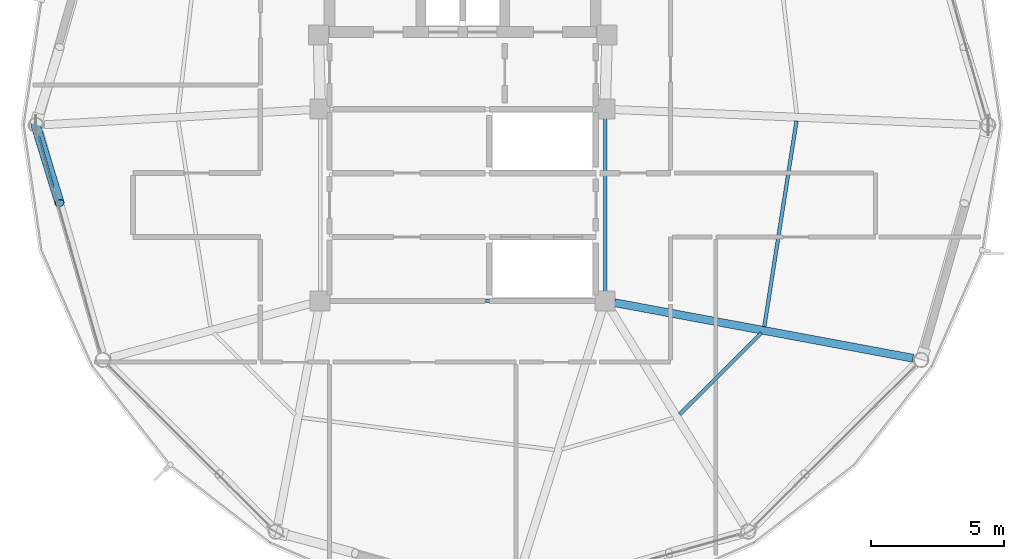
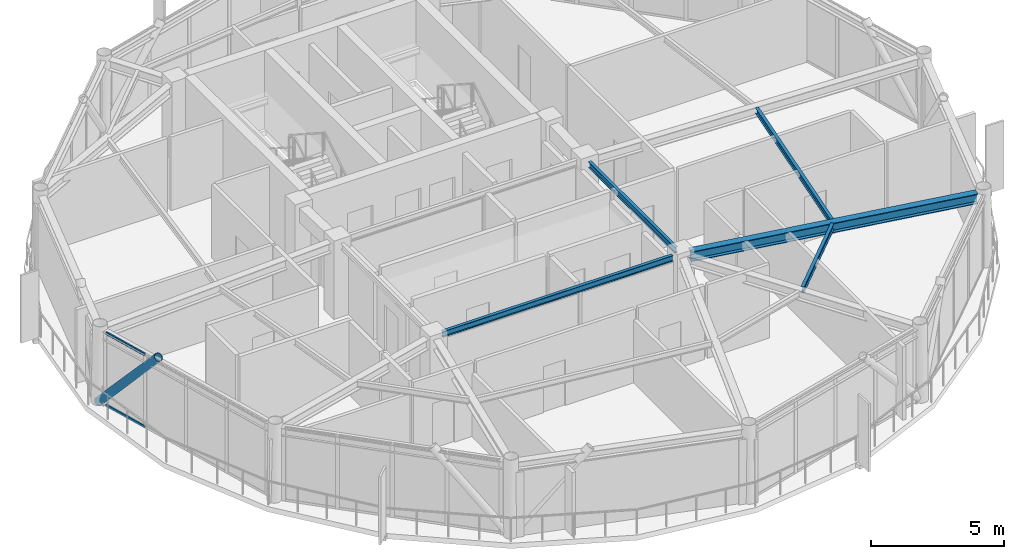
# One storey, part 9 of 24: 5 beams, 3 members, 1 element without a shape of its own.
"""IFC4 building model written with IfcOpenShell, lengths in metres."""

from ifc_helpers import new_model, si_unit, direction, frame, origin, origin_2d, place, context, subcontext, project, spatial, hollow_rectangle, hollow_circle, i_section, extrude, material, layer, layer_set, material_profile, profile_set, type_object, element, aggregate, save


model = new_model("IFC4")

# Units and contexts
model_context = context("Model", 3, precision=1e-05, world=origin(), true_north=direction((0.0, 1.0)))
body_context = subcontext(model_context, "Body", "Model", "MODEL_VIEW")
ifc_project = project(units=[si_unit("LENGTHUNIT", "METRE"), si_unit("AREAUNIT", "SQUARE_METRE"), si_unit("VOLUMEUNIT", "CUBIC_METRE"), si_unit("PLANEANGLEUNIT", "RADIAN"), si_unit("MASSUNIT", "GRAM", prefix="KILO")], contexts=[model_context])

# Site, building, storey
site_placement = place(None, origin())
site = spatial("IfcSite", under=ifc_project, at=site_placement, CompositionType="ELEMENT")
building_placement = place(site_placement, origin())
building = spatial("IfcBuilding", under=site, at=building_placement, Name="Varnakorn Sky Granary", CompositionType="ELEMENT")
storey_placement = place(building_placement, frame((0.0, 0.0, 281.39990234375)))
storey = spatial("IfcBuildingStorey", under=building, at=storey_placement, Name="L72", CompositionType="ELEMENT", Elevation=281.39990234375)

# Beams
ifc_material_1 = material(Name="Steel S355JR", Category="steel")
ifc_material_profile_1 = material_profile(ifc_material_1, i_section(OverallWidth=0.300048828125, OverallDepth=0.449951171875, WebThickness=0.013916015625, FlangeThickness=0.02587890625, at=origin_2d()), Name="HE 450 B")
ifc_profile_set_1 = profile_set([ifc_material_profile_1], Name="Steel S355JR")
beam_type_1 = type_object("IfcBeamType", Name="BM-RAD-Z5", PredefinedType="BEAM", material=ifc_profile_set_1)
beam_1_placement = place(storey_placement, frame((8.698974609375, -6.6650390625, 3.135009765625), z_axis=(0.983105406142, -0.183040324556, 0.0), x_axis=(0.183040324556, 0.983105406142, 0.0)))
element("IfcBeam", 1, at=beam_1_placement, inside=storey, type_object=beam_type_1, Name="Radial Floor Girder RG12 L72", PredefinedType="BEAM", context=body_context, shape_type="SweptSolid", body=[
    extrude(i_section(OverallWidth=0.300048828125, OverallDepth=0.449951171875, WebThickness=0.013916015625, FlangeThickness=0.02587890625, at=origin_2d()), origin(), (0.0, 0.0, 1.0), 11.3974609375),
])
ifc_material_profile_2 = material_profile(ifc_material_1, i_section(OverallWidth=0.135009765625, OverallDepth=0.27001953125, WebThickness=0.006591796875, FlangeThickness=0.01025390625, at=origin_2d()), Name="IPE 270")
ifc_profile_set_2 = profile_set([ifc_material_profile_2], Name="Steel S355JR")
beam_type_2 = type_object("IfcBeamType", Name="BM-SEC-Z5", PredefinedType="BEAM", material=ifc_profile_set_2)
beam_2_placement = place(storey_placement, frame((11.1435546875, -10.860107421875, 3.22509765625), z_axis=(0.70775611126, 0.706456854291, 0.0), x_axis=(-0.706456854291, 0.70775611126, 0.0)))
element("IfcBeam", 2, at=beam_2_placement, inside=storey, type_object=beam_type_2, Name="Secondary Floor Chord Beam MSB11 L72", PredefinedType="BEAM", context=body_context, shape_type="SweptSolid", body=[
    extrude(i_section(OverallWidth=0.135009765625, OverallDepth=0.27001953125, WebThickness=0.006591796875, FlangeThickness=0.01025390625, at=origin_2d()), origin(), (0.0, 0.0, 1.0), 4.32177734375),
])
beam_3_placement = place(storey_placement, frame((14.322998046875, -7.569580078125, 3.22509765625), z_axis=(0.154624379388, 0.987973330257, 0.0), x_axis=(-0.987973330257, 0.154624379388, 0.0)))
element("IfcBeam", 3, at=beam_3_placement, inside=storey, type_object=beam_type_2, Name="Secondary Floor Chord Beam MSB12 L72", PredefinedType="BEAM", context=body_context, shape_type="SweptSolid", body=[
    extrude(i_section(OverallWidth=0.135009765625, OverallDepth=0.27001953125, WebThickness=0.006591796875, FlangeThickness=0.01025390625, at=origin_2d()), origin(), (0.0, 0.0, 1.0), 7.823486328125),
])
beam_4_placement = place(storey_placement, frame((8.35009765625, 0.2451171875, 3.22509765625), z_axis=(0.0, -1.0, 0.0), x_axis=(1.0, 0.0, 0.0)))
element("IfcBeam", 4, at=beam_4_placement, inside=storey, type_object=beam_type_2, Name="Core Spine Framing Beam 4 L72", PredefinedType="BEAM", context=body_context, shape_type="SweptSolid", body=[
    extrude(i_section(OverallWidth=0.135009765625, OverallDepth=0.27001953125, WebThickness=0.006591796875, FlangeThickness=0.01025390625, at=origin_2d()), origin(), (0.0, 0.0, 1.0), 6.490234375),
])
beam_5_placement = place(storey_placement, frame((-1.9951171875, -6.60009765625, 3.22509765625), z_axis=(1.0, 0.0, 0.0), x_axis=(0.0, 1.0, 0.0)))
element("IfcBeam", 5, at=beam_5_placement, inside=storey, type_object=beam_type_2, Name="Core Spine Framing Beam 6 L72", PredefinedType="BEAM", context=body_context, shape_type="SweptSolid", body=[
    extrude(i_section(OverallWidth=0.135009765625, OverallDepth=0.27001953125, WebThickness=0.006591796875, FlangeThickness=0.01025390625, at=origin_2d()), origin(), (0.0, 0.0, 1.0), 9.990234375),
])

# Curtain wall, members
ifc_material_2 = material(Name="Anodised Bronze Aluminium Alloy 6063-T6", Category="aluminium")
ifc_layer = layer(ifc_material_2, 0.159912109375, Name="Anodised Bronze Aluminium Alloy 6063-T6")
ifc_layer_set = layer_set([ifc_layer], Name="Anodised Bronze Aluminium Alloy 6063-T6")
curtain_wall_type = type_object("IfcCurtainWallType", Name="CW-OFF-1", PredefinedType="USERDEFINED", material=ifc_layer_set)
curtain_wall_placement = place(storey_placement, origin())
curtain_wall = element("IfcCurtainWall", 6, at=curtain_wall_placement, inside=storey, type_object=curtain_wall_type, Name="Unitised Curtain Wall CW6 CW-L72-B07", ObjectType="CURTAIN WALL", PredefinedType="USERDEFINED")
ifc_material_profile_3 = material_profile(ifc_material_2, hollow_rectangle(XDim=0.06494140625, YDim=0.1201171875, WallThickness=0.00341796875, at=origin_2d()), Name="ALU TRAN 65x120")
ifc_profile_set_3 = profile_set([ifc_material_profile_3], Name="Anodised Bronze Aluminium Alloy 6063-T6")
member_type_1 = type_object("IfcMemberType", Name="CW-OFF-1-TRAN", PredefinedType="USERDEFINED", material=ifc_profile_set_3)
member_1_placement = place(storey_placement, frame((-12.369140625, -2.336181640625, 0.03271484375), z_axis=(-0.27406813679, 0.961710276745, 0.0), x_axis=(-0.961710276745, -0.27406813679, 0.0)))
member_1 = element("IfcMember", 7, at=member_1_placement, type_object=member_type_1, Name="CW6 transom 4.1", ObjectType="TRANSOM", PredefinedType="USERDEFINED", context=body_context, shape_type="SweptSolid", body=[
    extrude(hollow_rectangle(XDim=0.06494140625, YDim=0.1201171875, WallThickness=0.00341796875, at=origin_2d()), origin(), (0.0, 0.0, 1.0), 2.02490234375),
])
member_2_placement = place(storey_placement, frame((-12.369140625, -2.336181640625, 3.32763671875), z_axis=(-0.27406813679, 0.961710276745, 0.0), x_axis=(-0.961710276745, -0.27406813679, 0.0)))
member_2 = element("IfcMember", 8, at=member_2_placement, type_object=member_type_1, Name="CW6 transom 4.2", ObjectType="TRANSOM", PredefinedType="USERDEFINED", context=body_context, shape_type="SweptSolid", body=[
    extrude(hollow_rectangle(XDim=0.06494140625, YDim=0.1201171875, WallThickness=0.00341796875, at=origin_2d()), origin(), (0.0, 0.0, 1.0), 2.02490234375),
])
aggregate(curtain_wall, [member_1, member_2])

# Member
ifc_material_3 = material(Name="Steel S460M", Category="steel")
ifc_material_profile_4 = material_profile(ifc_material_3, hollow_circle(Radius=0.177734375, WallThickness=0.01416015625, at=origin_2d()), Name="CHS 355.6x14")
ifc_profile_set_4 = profile_set([ifc_material_profile_4], Name="Steel S460M")
member_type_2 = type_object("IfcMemberType", Name="MB-DIAG-T5", PredefinedType="BRACE", material=ifc_profile_set_4)
member_3_placement = place(storey_placement, frame((-13.034912109375, 0.0, 0.0), z_axis=(0.194013644029, -0.631161635356, 0.750995137125), x_axis=(0.955859824961, 0.293823067553, 0.0)))
element("IfcMember", 9, at=member_3_placement, inside=storey, type_object=member_type_2, Name="Perimeter CHS Diagrid Brace DG07 L72", PredefinedType="BRACE", context=body_context, shape_type="SweptSolid", body=[
    extrude(hollow_circle(Radius=0.177734375, WallThickness=0.01416015625, at=origin_2d()), origin(), (0.0, 0.0, 1.0), 4.647216796875),
])

save(model, "model.ifc")
